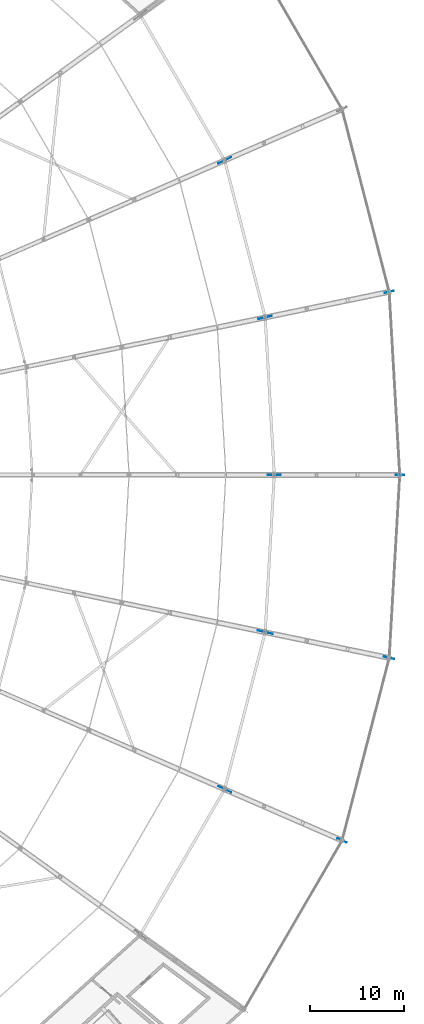
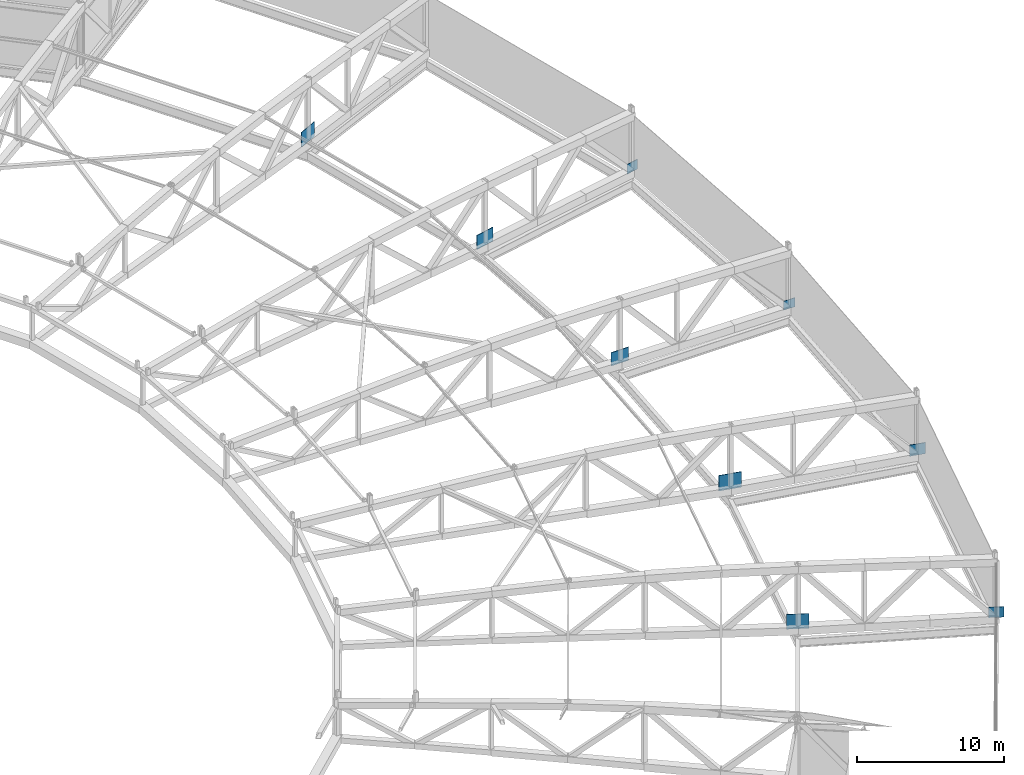
# One storey, part 143 of 162: 9 plates.
"""IFC4 building model written with IfcOpenShell, lengths in metres."""

from ifc_helpers import new_model, si_unit, direction, frame, origin, origin_2d, place, context, subcontext, project, spatial, rectangle, extrude, material, layer, layer_set, type_object, element, save


model = new_model("IFC4")

# Units and contexts
model_context = context("Model", 3, precision=1e-05, world=origin(), true_north=direction((0.0, 1.0)))
body_context = subcontext(model_context, "Body", "Model", "MODEL_VIEW")
ifc_project = project(units=[si_unit("LENGTHUNIT", "METRE"), si_unit("AREAUNIT", "SQUARE_METRE"), si_unit("VOLUMEUNIT", "CUBIC_METRE"), si_unit("PLANEANGLEUNIT", "RADIAN"), si_unit("MASSUNIT", "GRAM", prefix="KILO")], contexts=[model_context])

# Site, building, storey
site_placement = place(None, origin())
site = spatial("IfcSite", under=ifc_project, at=site_placement, CompositionType="ELEMENT")
building_placement = place(site_placement, origin())
building = spatial("IfcBuilding", under=site, at=building_placement, Name="Kazemori Nagisa Stadium", CompositionType="ELEMENT")
storey_placement = place(building_placement, frame((0.0, 0.0, 36.719970703125)))
storey = spatial("IfcBuildingStorey", under=building, at=storey_placement, Name="RF", CompositionType="ELEMENT", Elevation=36.719970703125)

# Plates
ifc_material = material(Name="Steel SN490B", Category="steel")
ifc_layer_1 = layer(ifc_material, 0.035888671875, Name="Steel SN490B", Category="steel")
ifc_layer_set_1 = layer_set([ifc_layer_1], Name="Steel SN490B")
plate_type_1 = type_object("IfcPlateType", Name="GussetPlate_GP-01", PredefinedType="SHEET", material=ifc_layer_set_1)
plate_1_placement = place(storey_placement, frame((218.0, 102.0, 0.360107421875), z_axis=(0.0, 0.0, 1.0), x_axis=(1.0, 0.0, 0.0)))
element("IfcPlate", 1, at=plate_1_placement, inside=storey, type_object=plate_type_1, Name="Roof truss anchor gusset plate GP-01 RT-01-R3", PredefinedType="SHEET", context=body_context, shape_type="SweptSolid", body=[
    extrude(rectangle(XDim=0.89990234375, YDim=0.035888671875, at=origin_2d()), origin(), (0.0, 0.0, 1.0), 0.75),
])
ifc_layer_2 = layer(ifc_material, 0.0400390625, Name="Steel SN490B", Category="steel")
ifc_layer_set_2 = layer_set([ifc_layer_2], Name="Steel SN490B")
plate_type_2 = type_object("IfcPlateType", Name="GussetPlate_GP-02", PredefinedType="SHEET", material=ifc_layer_set_2)
plate_2_placement = place(storey_placement, frame((216.880859375, 121.397705078125, 0.360107421875), z_axis=(0.0, 0.0, 1.0), x_axis=(0.974927912182, 0.222520933954, 0.0)))
element("IfcPlate", 2, at=plate_2_placement, inside=storey, type_object=plate_type_2, Name="Roof truss anchor gusset plate GP-02 RT-02-R3", PredefinedType="SHEET", context=body_context, shape_type="SweptSolid", body=[
    extrude(rectangle(XDim=0.97998046875, YDim=0.0400390625, at=origin_2d()), origin(), (0.0, 0.0, 1.0), 0.81005859375),
])
ifc_layer_3 = layer(ifc_material, 0.0439453125, Name="Steel SN490B", Category="steel")
ifc_layer_set_3 = layer_set([ifc_layer_3], Name="Steel SN490B")
plate_type_3 = type_object("IfcPlateType", Name="GussetPlate_GP-03", PredefinedType="SHEET", material=ifc_layer_set_3)
plate_3_placement = place(storey_placement, frame((211.885009765625, 63.25048828125, 0.35986328125), z_axis=(0.0, 0.0, 1.0), x_axis=(0.900968867905, -0.433883739113, 0.0)))
element("IfcPlate", 3, at=plate_3_placement, inside=storey, type_object=plate_type_3, Name="Roof truss anchor gusset plate GP-03 RT-27-R3", PredefinedType="SHEET", context=body_context, shape_type="SweptSolid", body=[
    extrude(rectangle(XDim=1.06005859375, YDim=0.0439453125, at=origin_2d()), origin(), (0.0, 0.0, 1.0), 0.8701171875),
])
ifc_layer_4 = layer(ifc_material, 0.048095703125, Name="Steel SN490B", Category="steel")
ifc_layer_set_4 = layer_set([ifc_layer_4], Name="Steel SN490B")
plate_type_4 = type_object("IfcPlateType", Name="GussetPlate_GP-04", PredefinedType="SHEET", material=ifc_layer_set_4)
plate_4_placement = place(storey_placement, frame((216.880859375, 82.602294921875, 0.35986328125), z_axis=(0.0, 0.0, 1.0), x_axis=(0.974927912182, -0.222520933954, 0.0)))
element("IfcPlate", 4, at=plate_4_placement, inside=storey, type_object=plate_type_4, Name="Roof truss anchor gusset plate GP-04 RT-28-R3", PredefinedType="SHEET", context=body_context, shape_type="SweptSolid", body=[
    extrude(rectangle(XDim=1.139892578125, YDim=0.048095703125, at=origin_2d()), origin(), (0.0, 0.0, 1.0), 0.929931640625),
])
ifc_layer_5 = layer(ifc_material, 0.0439453125, Name="Steel SN490B", Category="steel")
ifc_layer_set_5 = layer_set([ifc_layer_5], Name="Steel SN490B")
plate_type_5 = type_object("IfcPlateType", Name="GussetPlate_GP-07", PredefinedType="SHEET", material=ifc_layer_set_5)
plate_5_placement = place(storey_placement, frame((204.699951171875, 102.0, 0.47998046875), z_axis=(0.0, 0.0, 1.0), x_axis=(1.0, 0.0, 0.0)))
element("IfcPlate", 5, at=plate_5_placement, inside=storey, type_object=plate_type_5, Name="Roof truss anchor gusset plate GP-07 RT-01-R2", PredefinedType="SHEET", context=body_context, shape_type="SweptSolid", body=[
    extrude(rectangle(XDim=1.3798828125, YDim=0.0439453125, at=origin_2d()), origin(), (0.0, 0.0, 1.0), 1.110107421875),
])
ifc_layer_6 = layer(ifc_material, 0.048095703125, Name="Steel SN490B", Category="steel")
ifc_layer_set_6 = layer_set([ifc_layer_6], Name="Steel SN490B")
plate_type_6 = type_object("IfcPlateType", Name="GussetPlate_GP-08", PredefinedType="SHEET", material=ifc_layer_set_6)
plate_6_placement = place(storey_placement, frame((203.737548828125, 118.68212890625, 0.47998046875), z_axis=(0.0, 0.0, 1.0), x_axis=(0.974927912182, 0.222520933954, 0.0)))
element("IfcPlate", 6, at=plate_6_placement, inside=storey, type_object=plate_type_6, Name="Roof truss anchor gusset plate GP-08 RT-02-R2", PredefinedType="SHEET", context=body_context, shape_type="SweptSolid", body=[
    extrude(rectangle(XDim=1.4599609375, YDim=0.048095703125, at=origin_2d()), origin(), (0.0, 0.0, 1.0), 1.169921875),
])
ifc_layer_7 = layer(ifc_material, 0.035888671875, Name="Steel SN490B", Category="steel")
ifc_layer_set_7 = layer_set([ifc_layer_7], Name="Steel SN490B")
plate_type_7 = type_object("IfcPlateType", Name="GussetPlate_GP-09", PredefinedType="SHEET", material=ifc_layer_set_7)
for number, where, z_axis, x_axis, name in (
    (7, (199.44091796875, 135.32470703125, 0.47998046875), (0.0, 0.0, 1.0), (0.900968867905, 0.433883739113, 0.0), "Roof truss anchor gusset plate GP-09 RT-03-R2"),
    (8, (199.44091796875, 68.67529296875, 0.47998046875), (0.0, 0.0, 1.0), (0.900968867905, -0.433883739113, 0.0), "Roof truss anchor gusset plate GP-09 RT-27-R2"),
):
    element("IfcPlate", number, at=place(storey_placement, frame(where, z_axis=z_axis, x_axis=x_axis)), inside=storey, type_object=plate_type_7, Name=name, PredefinedType="SHEET", context=body_context, shape_type="SweptSolid", body=[
        extrude(rectangle(XDim=1.5400390625, YDim=0.035888671875, at=origin_2d()), origin(), (0.0, 0.0, 1.0), 1.22998046875),
    ])
ifc_layer_8 = layer(ifc_material, 0.0400390625, Name="Steel SN490B", Category="steel")
ifc_layer_set_8 = layer_set([ifc_layer_8], Name="Steel SN490B")
plate_type_8 = type_object("IfcPlateType", Name="GussetPlate_GP-10", PredefinedType="SHEET", material=ifc_layer_set_8)
plate_7_placement = place(storey_placement, frame((203.737548828125, 85.31787109375, 0.47998046875), z_axis=(0.0, 0.0, 1.0), x_axis=(0.974927912182, -0.222520933954, 0.0)))
element("IfcPlate", 9, at=plate_7_placement, inside=storey, type_object=plate_type_8, Name="Roof truss anchor gusset plate GP-10 RT-28-R2", PredefinedType="SHEET", context=body_context, shape_type="SweptSolid", body=[
    extrude(rectangle(XDim=1.6201171875, YDim=0.0400390625, at=origin_2d()), origin(), (0.0, 0.0, 1.0), 1.2900390625),
])

save(model, "model.ifc")
